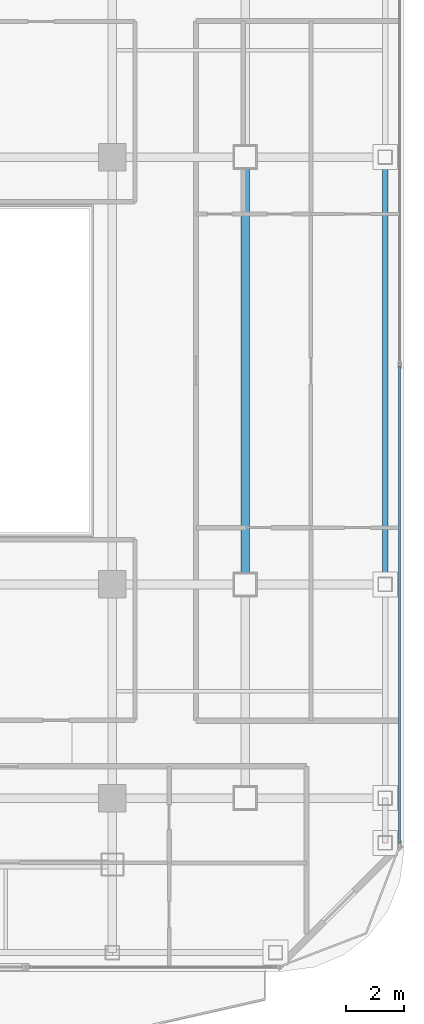
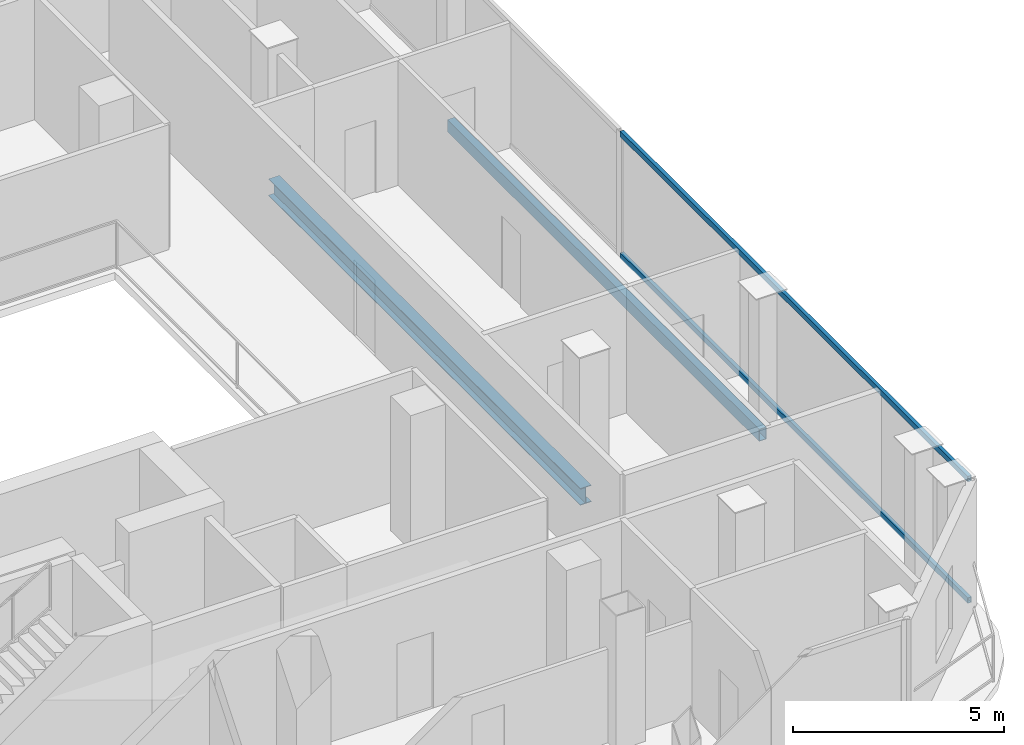
# One storey, part 8 of 22: 2 beams, 2 members, 1 element without a shape of its own.
"""IFC4 building model written with IfcOpenShell, lengths in metres."""

from ifc_helpers import new_model, si_unit, direction, frame, origin, origin_2d, place, context, subcontext, project, spatial, hollow_rectangle, i_section, extrude, material, layer, layer_set, material_profile, profile_set, type_object, element, aggregate, save


model = new_model("IFC4")

# Units and contexts
model_context = context("Model", 3, precision=1e-05, world=origin(), true_north=direction((0.0, 1.0)))
body_context = subcontext(model_context, "Body", "Model", "MODEL_VIEW")
ifc_project = project(units=[si_unit("LENGTHUNIT", "METRE"), si_unit("AREAUNIT", "SQUARE_METRE"), si_unit("VOLUMEUNIT", "CUBIC_METRE"), si_unit("PLANEANGLEUNIT", "RADIAN"), si_unit("MASSUNIT", "GRAM", prefix="KILO")], contexts=[model_context])

# Site, building, storey
site_placement = place(None, origin())
site = spatial("IfcSite", under=ifc_project, at=site_placement, CompositionType="ELEMENT")
building_placement = place(site_placement, origin())
building = spatial("IfcBuilding", under=site, at=building_placement, Name="Khorvyn Point Tower", CompositionType="ELEMENT")
storey_placement = place(building_placement, frame((0.0, 0.0, 282.0)))
storey = spatial("IfcBuildingStorey", under=building, at=storey_placement, Name="L69", CompositionType="ELEMENT", Elevation=282.0)

# Curtain wall, members
ifc_material_1 = material(Name="Anodised aluminium 6063-T6 and laminated Low-E glass", Category="aluminium")
ifc_layer = layer(ifc_material_1, 0.18994140625)
ifc_layer_set = layer_set([ifc_layer], Name="Stick-Built High-Wind Curtain Wall CW-SYS-04")
curtain_wall_type = type_object("IfcCurtainWallType", Name="Stick-Built High-Wind Curtain Wall CW-SYS-04", PredefinedType="NOTDEFINED", material=ifc_layer_set)
curtain_wall_placement = place(storey_placement, origin())
curtain_wall = element("IfcCurtainWall", 1, at=curtain_wall_placement, inside=storey, type_object=curtain_wall_type, Name="Curtain Wall", PredefinedType="NOTDEFINED")
ifc_material_2 = material(Name="Anodised aluminium 6063-T6", Category="aluminium")
ifc_material_profile_1 = material_profile(ifc_material_2, hollow_rectangle(XDim=0.10009765625, YDim=0.159912109375, WallThickness=0.00439453125, at=origin_2d()))
ifc_profile_set_1 = profile_set([ifc_material_profile_1], Name="Anodised aluminium 6063-T6 ALU-TRN-100x160")
member_type = type_object("IfcMemberType", Name="Anodised Aluminium 6063-T6 Transom ALU-TRN-100x160", PredefinedType="USERDEFINED", material=ifc_profile_set_1)
member_1_placement = place(storey_placement, frame((24.75, 0.14990234375, 0.050048828125), z_axis=(0.0, -1.0, 0.0), x_axis=(1.0, 0.0, 0.0)))
member_1 = element("IfcMember", 2, at=member_1_placement, type_object=member_type, Name="Transom", ObjectType="TRANSOM", PredefinedType="USERDEFINED", context=body_context, shape_type="SweptSolid", body=[
    extrude(hollow_rectangle(XDim=0.10009765625, YDim=0.159912109375, WallThickness=0.00439453125, at=origin_2d()), origin(), (0.0, 0.0, 1.0), 16.5),
])
member_2_placement = place(storey_placement, frame((24.75, 0.14990234375, 3.570068359375), z_axis=(0.0, -1.0, 0.0), x_axis=(1.0, 0.0, 0.0)))
member_2 = element("IfcMember", 3, at=member_2_placement, type_object=member_type, Name="Transom", ObjectType="TRANSOM", PredefinedType="USERDEFINED", context=body_context, shape_type="SweptSolid", body=[
    extrude(hollow_rectangle(XDim=0.10009765625, YDim=0.159912109375, WallThickness=0.00439453125, at=origin_2d()), origin(), (0.0, 0.0, 1.0), 16.5),
])
aggregate(curtain_wall, [member_1, member_2])

# Beams
ifc_material_3 = material(Name="Steel S355", Category="steel")
ifc_material_profile_2 = material_profile(ifc_material_3, i_section(OverallWidth=0.300048828125, OverallDepth=0.488037109375, WebThickness=0.010986328125, FlangeThickness=0.01806640625, at=origin_2d()))
ifc_profile_set_2 = profile_set([ifc_material_profile_2], Name="Steel S355 H488x300x11x18")
beam_type_1 = type_object("IfcBeamType", Name="Steel S355 Spandrel H488x300x11x18", PredefinedType="SPANDREL", material=ifc_profile_set_2)
beam_1_placement = place(storey_placement, frame((19.39990234375, -7.39990234375, -0.464111328125), z_axis=(0.0, 1.0, 0.0), x_axis=(-1.0, 0.0, 0.0)))
element("IfcBeam", 4, at=beam_1_placement, inside=storey, type_object=beam_type_1, Name="Beam", PredefinedType="SPANDREL", context=body_context, shape_type="SweptSolid", body=[
    extrude(i_section(OverallWidth=0.300048828125, OverallDepth=0.488037109375, WebThickness=0.010986328125, FlangeThickness=0.01806640625, at=origin_2d()), origin(), (0.0, 0.0, 1.0), 14.7998046875),
])
ifc_material_profile_3 = material_profile(ifc_material_3, hollow_rectangle(XDim=0.199951171875, YDim=0.35009765625, WallThickness=0.013916015625, at=origin_2d()))
ifc_profile_set_3 = profile_set([ifc_material_profile_3], Name="Steel S355 RHS350x200x14")
beam_type_2 = type_object("IfcBeamType", Name="Steel S355 Spandrel RHS350x200x14", PredefinedType="SPANDREL", material=ifc_profile_set_3)
beam_2_placement = place(storey_placement, frame((24.25, -7.39990234375, -0.39501953125), z_axis=(0.0, 1.0, 0.0), x_axis=(-1.0, 0.0, 0.0)))
element("IfcBeam", 5, at=beam_2_placement, inside=storey, type_object=beam_type_2, Name="Beam", PredefinedType="SPANDREL", context=body_context, shape_type="SweptSolid", body=[
    extrude(hollow_rectangle(XDim=0.199951171875, YDim=0.35009765625, WallThickness=0.013916015625, at=origin_2d()), origin(), (0.0, 0.0, 1.0), 14.7998046875),
])

save(model, "model.ifc")
